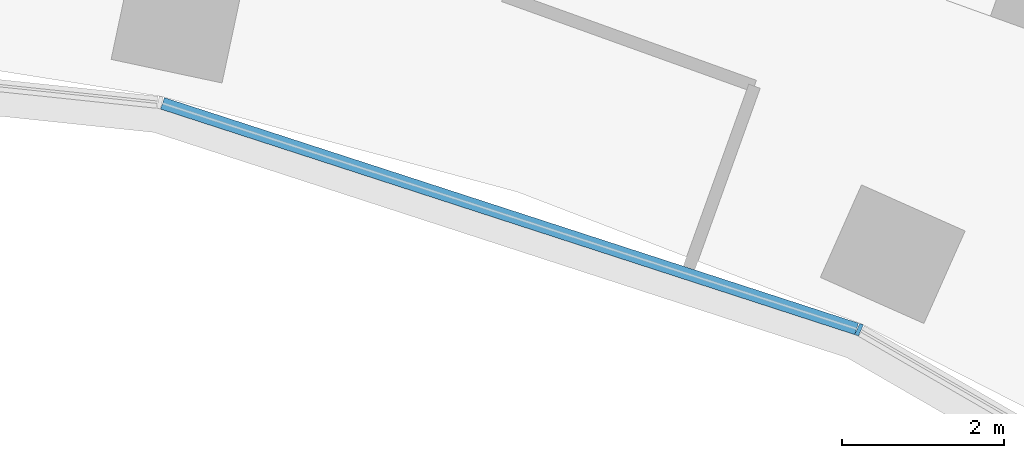
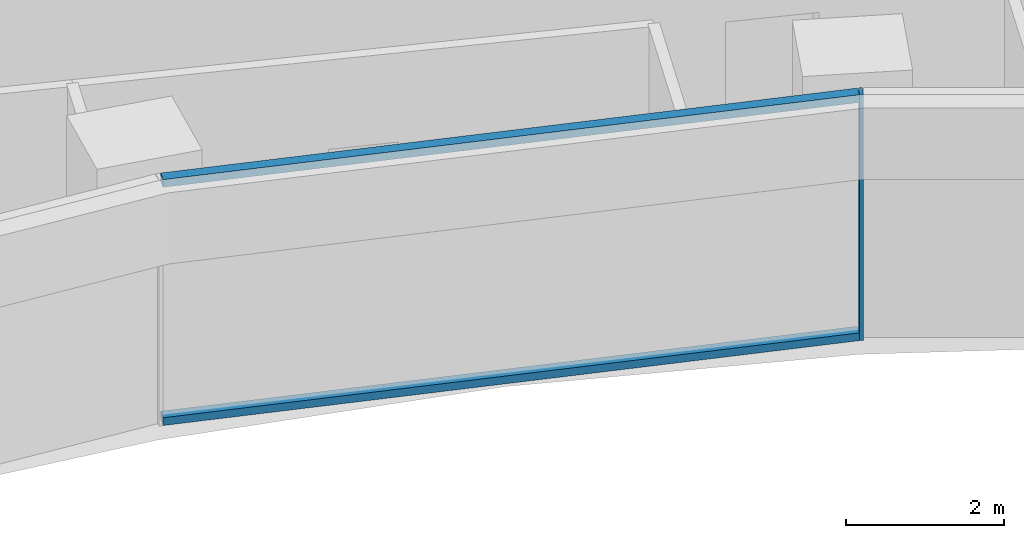
# One storey, part 10 of 24: 3 members, 1 element without a shape of its own.
"""IFC4 building model written with IfcOpenShell, lengths in metres."""

import ifcopenshell
import ifcopenshell.guid

model = None  # the IFC model being written
_history = None  # IfcOwnerHistory: only IFC2X3 demands one
_inside = {}  # id of a spatial element -> (the spatial element, [elements in it])
_under = {}  # id of a project, library or spatial element -> (it, [spatial elements below it])
_declared = {}  # id of a project -> (the project, [libraries it declares])
_typed = {}  # id of a type object -> (the type object, [elements of that type])
_made_of = {}  # id of a material, layer set ... -> (it, [elements and type objects made of it])


def new_model(schema):
    """Start an empty IFC model of exactly this schema.

    Asked for "IFC4X3", IfcOpenShell would pick the latest addendum, in which some entities
    have other attributes; the version numbers below select the first issue.
    IFC2X3 requires an IfcOwnerHistory on every rooted entity: one is made here for all.
    """
    global model, _history
    if schema == "IFC4X3":
        model = ifcopenshell.file(schema_version=(4, 3, 0, 0))
    else:
        model = ifcopenshell.file(schema=schema)
    _inside.clear()
    _under.clear()
    _declared.clear()
    _typed.clear()
    _made_of.clear()
    _history = None
    if model.schema == "IFC2X3":
        org = make("IfcOrganization", Name="unknown")
        user = make(
            "IfcPersonAndOrganization",
            ThePerson=make("IfcPerson", FamilyName="unknown"),
            TheOrganization=org,
        )
        app = make(
            "IfcApplication",
            ApplicationDeveloper=org,
            Version="unknown",
            ApplicationFullName="unknown",
            ApplicationIdentifier="unknown",
        )
        _history = make(
            "IfcOwnerHistory",
            OwningUser=user,
            OwningApplication=app,
            ChangeAction="ADDED",
            CreationDate=0,
        )
    return model


def make(cls, **values):
    """One entity of the class cls with the attributes given. An attribute that is None is left unset."""
    return model.create_entity(
        cls, **{name: value for name, value in values.items() if value is not None}
    )


def rooted(cls, **values):
    """An entity with a GlobalId (a new one), such as an element, a storey or a relation."""
    return make(cls, GlobalId=ifcopenshell.guid.new(), OwnerHistory=_history, **values)


def si_unit(unit_type, name, prefix=None):
    """IfcSIUnit, for example si_unit("LENGTHUNIT", "METRE", prefix="MILLI")."""
    return make("IfcSIUnit", UnitType=unit_type, Prefix=prefix, Name=name)


def assignment(units):
    """IfcUnitAssignment: the units of a project."""
    return None if units is None else make("IfcUnitAssignment", Units=units)


def point(xyz):
    """IfcCartesianPoint."""
    return None if xyz is None else make("IfcCartesianPoint", Coordinates=xyz)


def direction(xyz):
    """IfcDirection."""
    return None if xyz is None else make("IfcDirection", DirectionRatios=xyz)


def frame(location, z_axis=None, x_axis=None):
    """IfcAxis2Placement3D, a coordinate frame: its origin and axes. An axis left out is left unset."""
    return make(
        "IfcAxis2Placement3D",
        Location=point(location),
        Axis=direction(z_axis),
        RefDirection=direction(x_axis),
    )


def frame_2d(location, x_axis=None):
    """IfcAxis2Placement2D, a coordinate frame in the plane: its origin and x axis."""
    return make(
        "IfcAxis2Placement2D", Location=point(location), RefDirection=direction(x_axis)
    )


def origin():
    """The frame at (0, 0, 0) with its axes left unset."""
    return frame((0.0, 0.0, 0.0))


def origin_2d():
    """The frame at (0, 0) in the plane with its x axis left unset."""
    return frame_2d((0.0, 0.0))


def place(relative_to, where):
    """IfcLocalPlacement: puts the frame where relative to a parent placement (None: the world)."""
    return make(
        "IfcLocalPlacement", PlacementRelTo=relative_to, RelativePlacement=where
    )


def context(
    kind, dimensions, precision=None, world=None, true_north=None, identifier=None
):
    """IfcGeometricRepresentationContext, for example the 3D "Model" context."""
    return make(
        "IfcGeometricRepresentationContext",
        ContextIdentifier=identifier,
        ContextType=kind,
        CoordinateSpaceDimension=dimensions,
        Precision=precision,
        WorldCoordinateSystem=world,
        TrueNorth=true_north,
    )


def subcontext(parent, identifier, kind, view, scale=None):
    """IfcGeometricRepresentationSubContext, for example "Body" below "Model"."""
    return make(
        "IfcGeometricRepresentationSubContext",
        ContextIdentifier=identifier,
        ContextType=kind,
        ParentContext=parent,
        TargetScale=scale,
        TargetView=view,
    )


def project(units=None, contexts=None):
    """IfcProject with its units and contexts."""
    return rooted(
        "IfcProject",
        Name="project",
        RepresentationContexts=contexts,
        UnitsInContext=assignment(units),
    )


def spatial(cls, under=None, at=None, **own):
    """A site, building, storey or space (cls), placed at a placement, below another one or the project."""
    s = rooted(cls, ObjectPlacement=at, **own)
    if under is not None:
        _under.setdefault(under.id(), (under, []))[1].append(s)
    return s


def profile(cls, at=None, kind="AREA", **sizes):
    """A parametric profile (cls). Its sizes go by their IFC names, for example OverallWidth=200.0."""
    return make(cls, ProfileType=kind, Position=at, **sizes)


def rectangle(**sizes):
    """IfcRectangleProfileDef."""
    return profile("IfcRectangleProfileDef", **sizes)


def extrude(swept, where, along, depth):
    """IfcExtrudedAreaSolid: the profile swept, set in the frame where, extruded along a direction by depth."""
    return make(
        "IfcExtrudedAreaSolid",
        SweptArea=swept,
        Position=where,
        ExtrudedDirection=direction(along),
        Depth=depth,
    )


def shape(context_of_items, identifier, shape_type, items):
    """IfcShapeRepresentation: the items that make up one representation, for example the "Body"."""
    return make(
        "IfcShapeRepresentation",
        ContextOfItems=context_of_items,
        RepresentationIdentifier=identifier,
        RepresentationType=shape_type,
        Items=items,
    )


def material(Name=None, Category=None):
    """IfcMaterial."""
    return make("IfcMaterial", Name=Name, Category=Category)


def layer(
    of_material, thickness, ventilated=None, Name=None, Category=None, Priority=None
):
    """IfcMaterialLayer: one layer of a wall or slab, of a material (None: an air gap)."""
    return make(
        "IfcMaterialLayer",
        Material=of_material,
        LayerThickness=thickness,
        IsVentilated=ventilated,
        Name=Name,
        Category=Category,
        Priority=Priority,
    )


def layer_set(layers, Name=None):
    """IfcMaterialLayerSet."""
    return make("IfcMaterialLayerSet", MaterialLayers=layers, LayerSetName=Name)


def material_profile(
    of_material, cross_section, Name=None, Category=None, Priority=None
):
    """IfcMaterialProfile: a cross section and its material."""
    return make(
        "IfcMaterialProfile",
        Name=Name,
        Material=of_material,
        Profile=cross_section,
        Priority=Priority,
        Category=Category,
    )


def profile_set(profiles, Name=None, composite=None):
    """IfcMaterialProfileSet."""
    return make(
        "IfcMaterialProfileSet",
        Name=Name,
        MaterialProfiles=profiles,
        CompositeProfile=composite,
    )


def made_of(thing, what):
    """Note that an element or type object is made of a material, layer set ...; save() writes the relation."""
    if what is not None:
        _made_of.setdefault(what.id(), (what, []))[1].append(thing)
    return thing


def type_object(cls, material=None, **own):
    """A type object (cls), such as IfcWallType, which elements share."""
    return made_of(rooted(cls, **own), material)


def element(
    cls,
    number,
    at=None,
    inside=None,
    cuts=None,
    type_object=None,
    material=None,
    context=None,
    identifier="Body",
    shape_type=None,
    held_by="IfcProductDefinitionShape",
    body=None,
    shapes=None,
    **own,
):
    """One element of the class cls, such as IfcWall. Its Tag is "e" and its number.

    at: its placement. inside: the storey or other place that contains it. cuts: it is an
    opening in that element (IfcRelVoidsElement). A single representation is given by context,
    identifier, shape_type and body (its items); several are given by shapes. held_by: the class
    of the entity that holds the representations. save() writes the other relations.
    """
    e = rooted(cls, Tag="e%d" % number, ObjectPlacement=at, **own)
    if body is not None:
        shapes = [shape(context, identifier, shape_type, body)]
    if shapes is not None:
        e.Representation = make(held_by, Representations=shapes)
    if inside is not None:
        _inside.setdefault(inside.id(), (inside, []))[1].append(e)
    if cuts is not None:
        rooted(
            "IfcRelVoidsElement", RelatingBuildingElement=cuts, RelatedOpeningElement=e
        )
    if type_object is not None:
        _typed.setdefault(type_object.id(), (type_object, []))[1].append(e)
    return made_of(e, material)


def aggregate(whole, parts):
    """IfcRelAggregates: a whole, such as a stair, and the parts it consists of."""
    return rooted("IfcRelAggregates", RelatingObject=whole, RelatedObjects=parts)


def save(model, path):
    """Write the relations noted so far, then the file.

    IfcRelAggregates (storeys below a building ...), IfcRelContainedInSpatialStructure (elements
    in a storey), IfcRelDefinesByType, IfcRelAssociatesMaterial and IfcRelDeclares: one each for
    every whole, place, type object, material and project.
    """
    for whole, parts in _under.values():
        aggregate(whole, parts)
    for where, things in _inside.values():
        rooted(
            "IfcRelContainedInSpatialStructure",
            RelatedElements=things,
            RelatingStructure=where,
        )
    for kind, things in _typed.values():
        rooted("IfcRelDefinesByType", RelatedObjects=things, RelatingType=kind)
    for what, things in _made_of.values():
        rooted("IfcRelAssociatesMaterial", RelatedObjects=things, RelatingMaterial=what)
    for by, libraries in _declared.values():
        rooted("IfcRelDeclares", RelatingContext=by, RelatedDefinitions=libraries)
    model.write(path)


model = new_model("IFC4")

# Units and contexts
model_context = context("Model", 3, precision=1e-05, world=origin(), true_north=direction((0.0, 1.0)))
body_context = subcontext(model_context, "Body", "Model", "MODEL_VIEW")
ifc_project = project(units=[si_unit("LENGTHUNIT", "METRE"), si_unit("AREAUNIT", "SQUARE_METRE"), si_unit("VOLUMEUNIT", "CUBIC_METRE"), si_unit("PLANEANGLEUNIT", "RADIAN"), si_unit("MASSUNIT", "GRAM", prefix="KILO")], contexts=[model_context])

# Site, building, storey
site_placement = place(None, origin())
site = spatial("IfcSite", under=ifc_project, at=site_placement, CompositionType="ELEMENT")
building_placement = place(site_placement, origin())
building = spatial("IfcBuilding", under=site, at=building_placement, Name="Stone Belt Terrace Tower", CompositionType="ELEMENT")
storey_placement = place(building_placement, frame((0.0, 0.0, 64.199951171875)))
storey = spatial("IfcBuildingStorey", under=building, at=storey_placement, Name="L15", CompositionType="ELEMENT", Elevation=64.199951171875)

# Curtain wall, members
ifc_material = material(Name="Aluminium 6063-T6 anodised frame", Category="aluminium")
ifc_layer = layer(ifc_material, 0.14990234375)
ifc_layer_set = layer_set([ifc_layer], Name="CW-B unitised concave-face curtain wall")
curtain_wall_type = type_object("IfcCurtainWallType", Name="CW-B unitised concave-face curtain wall", PredefinedType="NOTDEFINED", material=ifc_layer_set)
curtain_wall_placement = place(storey_placement, origin())
curtain_wall = element("IfcCurtainWall", 1, at=curtain_wall_placement, inside=storey, type_object=curtain_wall_type, Name="CW-B concave face L15", PredefinedType="NOTDEFINED")
ifc_material_profile_1 = material_profile(ifc_material, rectangle(XDim=0.14990234375, YDim=0.050048828125, at=origin_2d()), Name="Aluminium 6063-T6 50x150")
ifc_profile_set_1 = profile_set([ifc_material_profile_1], Name="Aluminium 6063-T6 anodised frame")
member_type_1 = type_object("IfcMemberType", Name="CW-B mullion 50 x 150", PredefinedType="MULLION", material=ifc_profile_set_1)
member_1_placement = place(storey_placement, frame((17.662353515625, 39.67041015625, 0.0), z_axis=(0.0, 0.0, 1.0), x_axis=(0.406736643076, 0.913545457643, 0.0)))
member_1 = element("IfcMember", 2, at=member_1_placement, type_object=member_type_1, Name="CW-B mullion 8", PredefinedType="MULLION", context=body_context, shape_type="SweptSolid", body=[
    extrude(rectangle(XDim=0.14990234375, YDim=0.050048828125, at=origin_2d()), origin(), (0.0, 0.0, 1.0), 3.800048828125),
])
ifc_material_profile_2 = material_profile(ifc_material, rectangle(XDim=0.14990234375, YDim=0.1201171875, at=origin_2d()), Name="Aluminium 6063-T6 150x120")
ifc_profile_set_2 = profile_set([ifc_material_profile_2], Name="Aluminium 6063-T6 anodised frame")
member_type_2 = type_object("IfcMemberType", Name="CW-B transom 120 x 150", PredefinedType="USERDEFINED", material=ifc_profile_set_2)
member_2_placement = place(storey_placement, frame((9.0595703125, 42.465576171875, 0.06005859375), z_axis=(0.951055963285, -0.309018696359, 0.0), x_axis=(0.309018696359, 0.951055963285, 0.0)))
member_2 = element("IfcMember", 3, at=member_2_placement, type_object=member_type_2, Name="CW-B transom 7.1", ObjectType="TRANSOM", PredefinedType="USERDEFINED", context=body_context, shape_type="SweptSolid", body=[
    extrude(rectangle(XDim=0.14990234375, YDim=0.1201171875, at=origin_2d()), origin(), (0.0, 0.0, 1.0), 9.012939453125),
])
member_3_placement = place(storey_placement, frame((9.0595703125, 42.465576171875, 3.739990234375), z_axis=(0.951055963285, -0.309018696359, 0.0), x_axis=(0.309018696359, 0.951055963285, 0.0)))
member_3 = element("IfcMember", 4, at=member_3_placement, type_object=member_type_2, Name="CW-B transom 7.2", ObjectType="TRANSOM", PredefinedType="USERDEFINED", context=body_context, shape_type="SweptSolid", body=[
    extrude(rectangle(XDim=0.14990234375, YDim=0.1201171875, at=origin_2d()), origin(), (0.0, 0.0, 1.0), 9.012939453125),
])
aggregate(curtain_wall, [member_1, member_2, member_3])

save(model, "model.ifc")
